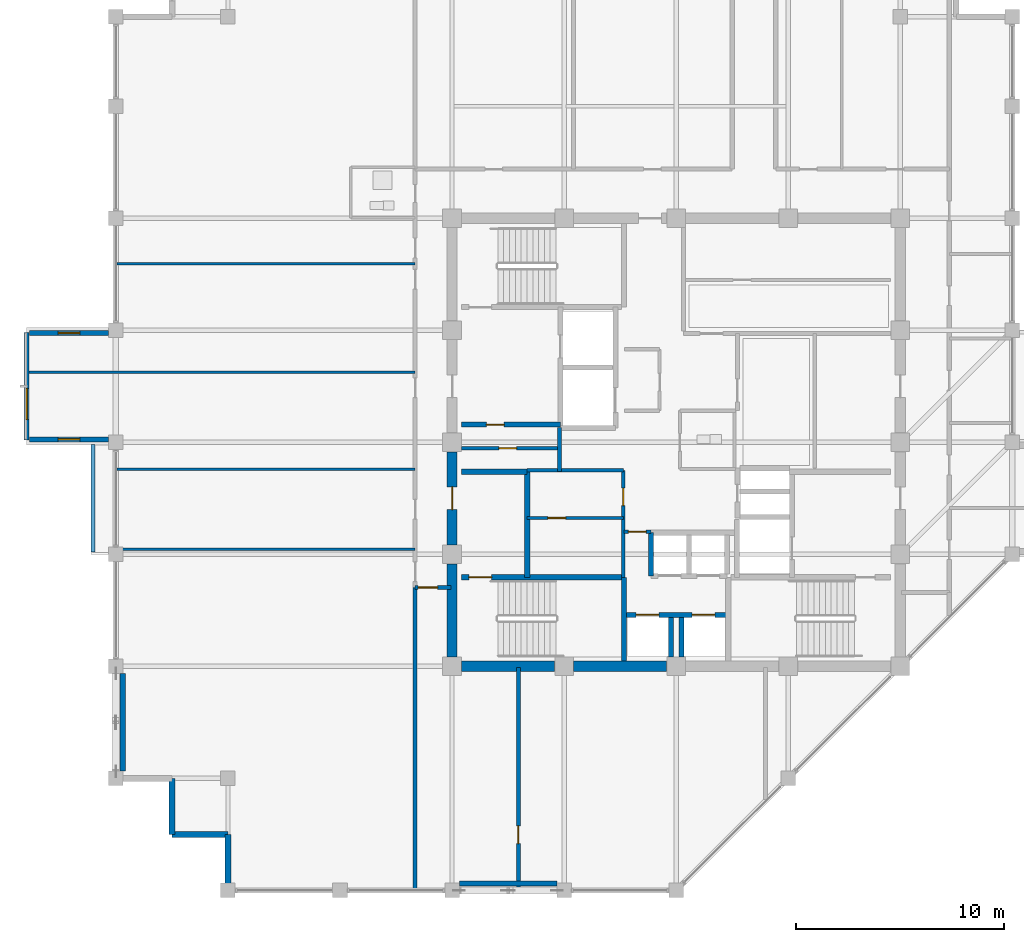
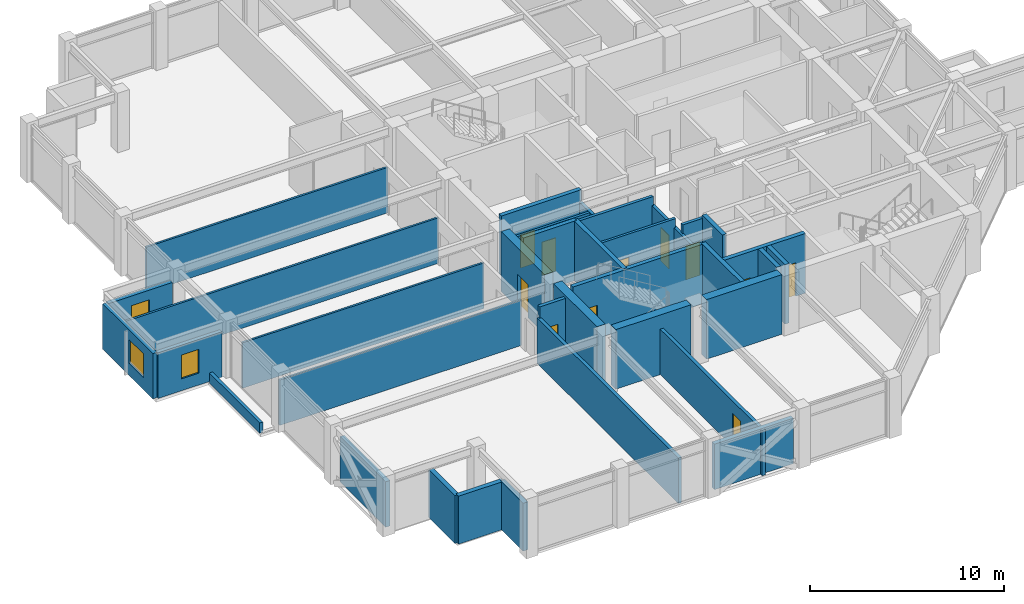
# One storey, part 25 of 31: 35 walls, 11 doors, 3 windows, 14 openings.
"""IFC4 building model written with IfcOpenShell, lengths in metres."""

from ifc_helpers import new_model, si_unit, direction, frame, frame_2d, origin, place, context, subcontext, project, spatial, rectangle, extrude, material, layer, layer_set, type_object, element, fill, save


model = new_model("IFC4")

# Units and contexts
model_context = context("Model", 3, precision=1e-05, world=origin(), true_north=direction((0.0, 1.0)))
body_context = subcontext(model_context, "Body", "Model", "MODEL_VIEW")
ifc_project = project(units=[si_unit("LENGTHUNIT", "METRE"), si_unit("AREAUNIT", "SQUARE_METRE"), si_unit("VOLUMEUNIT", "CUBIC_METRE"), si_unit("PLANEANGLEUNIT", "RADIAN"), si_unit("MASSUNIT", "GRAM", prefix="KILO")], contexts=[model_context])

# Site, building, storey
site_placement = place(None, origin())
site = spatial("IfcSite", under=ifc_project, at=site_placement, CompositionType="ELEMENT")
building_placement = place(site_placement, origin())
building = spatial("IfcBuilding", under=site, at=building_placement, Name="Surkhivell Harbour Commons", CompositionType="ELEMENT")
storey_placement = place(building_placement, frame((0.0, 0.0, 315.0)))
storey = spatial("IfcBuildingStorey", under=building, at=storey_placement, Name="L82", CompositionType="ELEMENT", Elevation=315.0)

# Walls
ifc_material_1 = material(Name="Concrete C50/60", Category="concrete")
ifc_layer_1 = layer(ifc_material_1, 0.5)
ifc_layer_set_1 = layer_set([ifc_layer_1], Name="Concrete C50/60")
wall_type_1 = type_object("IfcWallType", Name="WAL-CORE-500", PredefinedType="SHEAR", material=ifc_layer_set_1)
for number, where, z_axis, x_axis, name in (
    (1, (-10.340087890625, -10.800048828125, 0.0), (0.0, 0.0, 1.0), (1.0, 0.0, 0.0), "L82 Core Shear Wall South 1"),
    (2, (-10.800048828125, -10.340087890625, 0.0), (0.0, 0.0, 1.0), (0.0, 1.0, 0.0), "L82 Core Shear Wall West 1"),
    (3, (-4.93994140625, -10.800048828125, 0.0), (0.0, 0.0, 1.0), (1.0, 0.0, 0.0), "L82 Core Shear Wall South 2"),
):
    element("IfcWall", number, at=place(storey_placement, frame(where, z_axis=z_axis, x_axis=x_axis)), inside=storey, type_object=wall_type_1, Name=name, PredefinedType="SHEAR", context=body_context, shape_type="SweptSolid", body=[
        extrude(rectangle(XDim=4.47998046875, YDim=0.5, at=frame_2d((2.239990234375, 0.0))), origin(), (0.0, 0.0, 1.0), 3.75),
    ])

# Wall, opening, door
wall_1_placement = place(storey_placement, frame((-10.800048828125, -4.93994140625, 0.0), z_axis=(0.0, 0.0, 1.0), x_axis=(0.0, 1.0, 0.0)))
wall_1 = element("IfcWall", 4, at=wall_1_placement, inside=storey, type_object=wall_type_1, Name="L82 Core Shear Wall West 2", PredefinedType="SHEAR", context=body_context, shape_type="SweptSolid", body=[
    extrude(rectangle(XDim=4.47998046875, YDim=0.5, at=frame_2d((2.239990234375, 0.0))), origin(), (0.0, 0.0, 1.0), 3.75),
])
opening_1_placement = place(wall_1_placement, frame((1.68994140625, 0.0, 0.0)))
opening_1 = element("IfcOpeningElement", 5, at=opening_1_placement, cuts=wall_1, Name="Opening ID-2", PredefinedType="OPENING", context=body_context, shape_type="SweptSolid", body=[
    extrude(rectangle(XDim=1.10009765625, YDim=2.10009765625, at=frame_2d((0.550048828125, 1.050048828125))), frame((0.0, 0.260009765625, 0.0), z_axis=(0.0, -1.0, 0.0), x_axis=(1.0, 0.0, 0.0)), (0.0, 0.0, 1.0), 0.52001953125),
])
ifc_material_2 = material(Name="Hardwood-veneered fire-rated door leaf", Category="wood")
door_type_1 = type_object("IfcDoorType", Name="DOR-FD60-1100", OperationType="NOTDEFINED", PredefinedType="DOOR", material=ifc_material_2)
door_1_placement = place(opening_1_placement, origin())
door_1 = element("IfcDoor", 6, at=door_1_placement, inside=storey, type_object=door_type_1, Name="L82 Stair 3 Lobby Corridor Door", OperationType="SINGLE_SWING_LEFT", OverallHeight=2.10009765625, OverallWidth=1.10009765625, PredefinedType="DOOR", context=body_context, shape_type="SweptSolid", body=[
    extrude(rectangle(XDim=1.10009765625, YDim=2.10009765625, at=frame_2d((0.550048828125, 1.050048828125))), frame((0.0, 0.02490234375, 0.0), z_axis=(0.0, -1.0, 0.0), x_axis=(1.0, 0.0, 0.0)), (0.0, 0.0, 1.0), 0.050048828125),
])
fill(opening_1, door_1)

# Walls
ifc_material_3 = material(Name="Pale-metal insulated precast concrete C45/55", Category="concrete")
ifc_layer_2 = layer(ifc_material_3, 0.260009765625)
ifc_layer_set_2 = layer_set([ifc_layer_2], Name="Pale-metal insulated precast concrete C45/55")
wall_type_2 = type_object("IfcWallType", Name="WAL-EXT-MTL260", PredefinedType="STANDARD", material=ifc_layer_set_2)
wall_2_placement = place(storey_placement, frame((-10.451904296875, -21.264892578125, 0.0), z_axis=(0.0, 0.0, 1.0), x_axis=(1.0, 0.0, 0.0)))
element("IfcWall", 7, at=wall_2_placement, inside=storey, type_object=wall_type_2, Name="L82 Braced-Bay Insulated Spandrel Backing S", PredefinedType="STANDARD", context=body_context, shape_type="SweptSolid", body=[
    extrude(rectangle(XDim=4.703857421875, YDim=0.260009765625, at=frame_2d((2.35205078125, 0.0))), origin(), (0.0, 0.0, 1.0), 2.85693359375),
])
wall_3_placement = place(storey_placement, frame((-26.6650390625, -15.85205078125, 0.0), z_axis=(0.0, 0.0, 1.0), x_axis=(0.0, 1.0, 0.0)))
element("IfcWall", 8, at=wall_3_placement, inside=storey, type_object=wall_type_2, Name="L82 Braced-Bay Insulated Spandrel Backing W", PredefinedType="STANDARD", context=body_context, shape_type="SweptSolid", body=[
    extrude(rectangle(XDim=4.7041015625, YDim=0.260009765625, at=frame_2d((2.35205078125, 0.0))), origin(), (0.0, 0.0, 1.0), 2.85693359375),
])

# Wall, opening, window
ifc_material_4 = material(Name="Bronze-ochre cassette precast concrete C45/55", Category="concrete")
ifc_layer_3 = layer(ifc_material_4, 0.239990234375)
ifc_layer_set_3 = layer_set([ifc_layer_3], Name="Bronze-ochre cassette precast concrete C45/55")
wall_type_3 = type_object("IfcWallType", Name="WAL-EXT-OCH240", PredefinedType="STANDARD", material=ifc_layer_set_3)
wall_4_placement = place(storey_placement, frame((-31.300048828125, 5.280029296875, 0.0), z_axis=(0.0, 0.0, 1.0), x_axis=(0.0, -1.0, 0.0)))
wall_4 = element("IfcWall", 9, at=wall_4_placement, inside=storey, type_object=wall_type_3, Name="L82 Coloured Box Front Wall 02", PredefinedType="STANDARD", context=body_context, shape_type="SweptSolid", body=[
    extrude(rectangle(XDim=5.159912109375, YDim=0.239990234375, at=frame_2d((2.580078125, 0.0))), origin(), (0.0, 0.0, 1.0), 2.85693359375),
])
opening_2_placement = place(wall_4_placement, frame((2.68994140625, 0.0, 0.75)))
opening_2 = element("IfcOpeningElement", 10, at=opening_2_placement, cuts=wall_4, Name="Opening WN-13", PredefinedType="OPENING", context=body_context, shape_type="SweptSolid", body=[
    extrude(rectangle(XDim=1.5, YDim=1.5, at=frame_2d((0.75, 0.75))), frame((0.0, 0.1298828125, 0.0), z_axis=(0.0, -1.0, 0.0), x_axis=(1.0, 0.0, 0.0)), (0.0, 0.0, 1.0), 0.260009765625),
])
ifc_material_5 = material(Name="Thermal-break aluminium frame and double low-E glazing", Category="aluminium")
window_type_1 = type_object("IfcWindowType", Name="WIN-BOX-1500x1500", PartitioningType="SINGLE_PANEL", PredefinedType="WINDOW", material=ifc_material_5)
window_1_placement = place(opening_2_placement, origin())
window_1 = element("IfcWindow", 11, at=window_1_placement, inside=storey, type_object=window_type_1, Name="L82 Coloured Box Square Window 02-1", OverallHeight=1.5, OverallWidth=1.5, PartitioningType="SINGLE_PANEL", PredefinedType="WINDOW", context=body_context, shape_type="SweptSolid", body=[
    extrude(rectangle(XDim=1.5, YDim=1.5, at=frame_2d((0.75, 0.75))), frame((0.0, 0.030029296875, 0.0), z_axis=(0.0, -1.0, 0.0), x_axis=(1.0, 0.0, 0.0)), (0.0, 0.0, 1.0), 0.06005859375),
])
fill(opening_2, window_1)

wall_5_placement = place(storey_placement, frame((-31.159912109375, 0.139892578125, 0.0), z_axis=(0.0, 0.0, 1.0), x_axis=(1.0, 0.0, 0.0)))
wall_5 = element("IfcWall", 12, at=wall_5_placement, inside=storey, type_object=wall_type_3, Name="L82 Coloured Box Return Wall 02S", PredefinedType="STANDARD", context=body_context, shape_type="SweptSolid", body=[
    extrude(rectangle(XDim=3.805908203125, YDim=0.239990234375, at=frame_2d((1.90283203125, 0.0))), origin(), (0.0, 0.0, 1.0), 2.85693359375),
])
opening_3_placement = place(wall_5_placement, frame((1.3779296875, 0.0, 0.75)))
opening_3 = element("IfcOpeningElement", 13, at=opening_3_placement, cuts=wall_5, Name="Opening WN-11", PredefinedType="OPENING", context=body_context, shape_type="SweptSolid", body=[
    extrude(rectangle(XDim=1.050048828125, YDim=1.5, at=frame_2d((0.52490234375, 0.75))), frame((0.0, 0.1298828125, 0.0), z_axis=(0.0, -1.0, 0.0), x_axis=(1.0, 0.0, 0.0)), (0.0, 0.0, 1.0), 0.260009765625),
])
window_type_2 = type_object("IfcWindowType", Name="WIN-SER-1050x1500", PartitioningType="SINGLE_PANEL", PredefinedType="WINDOW", material=ifc_material_5)
window_2_placement = place(opening_3_placement, origin())
window_2 = element("IfcWindow", 14, at=window_2_placement, inside=storey, type_object=window_type_2, Name="L82 Coloured Box Return Window 02S", OverallHeight=1.5, OverallWidth=1.050048828125, PartitioningType="SINGLE_PANEL", PredefinedType="WINDOW", context=body_context, shape_type="SweptSolid", body=[
    extrude(rectangle(XDim=1.050048828125, YDim=1.5, at=frame_2d((0.52490234375, 0.75))), frame((0.0, 0.030029296875, 0.0), z_axis=(0.0, -1.0, 0.0), x_axis=(1.0, 0.0, 0.0)), (0.0, 0.0, 1.0), 0.06005859375),
])
fill(opening_3, window_2)

wall_6_placement = place(storey_placement, frame((-31.159912109375, 5.260009765625, 0.0), z_axis=(0.0, 0.0, 1.0), x_axis=(1.0, 0.0, 0.0)))
wall_6 = element("IfcWall", 15, at=wall_6_placement, inside=storey, type_object=wall_type_3, Name="L82 Coloured Box Return Wall 02N", PredefinedType="STANDARD", context=body_context, shape_type="SweptSolid", body=[
    extrude(rectangle(XDim=3.805908203125, YDim=0.239990234375, at=frame_2d((1.90283203125, 0.0))), origin(), (0.0, 0.0, 1.0), 2.85693359375),
])
opening_4_placement = place(wall_6_placement, frame((1.3779296875, 0.0, 0.75)))
opening_4 = element("IfcOpeningElement", 16, at=opening_4_placement, cuts=wall_6, Name="Opening WN-11", PredefinedType="OPENING", context=body_context, shape_type="SweptSolid", body=[
    extrude(rectangle(XDim=1.050048828125, YDim=1.5, at=frame_2d((0.52490234375, 0.75))), frame((0.0, 0.1298828125, 0.0), z_axis=(0.0, -1.0, 0.0), x_axis=(1.0, 0.0, 0.0)), (0.0, 0.0, 1.0), 0.260009765625),
])
window_3_placement = place(opening_4_placement, origin())
window_3 = element("IfcWindow", 17, at=window_3_placement, inside=storey, type_object=window_type_2, Name="L82 Coloured Box Return Window 02N", OverallHeight=1.5, OverallWidth=1.050048828125, PartitioningType="SINGLE_PANEL", PredefinedType="WINDOW", context=body_context, shape_type="SweptSolid", body=[
    extrude(rectangle(XDim=1.050048828125, YDim=1.5, at=frame_2d((0.52490234375, 0.75))), frame((0.0, 0.030029296875, 0.0), z_axis=(0.0, -1.0, 0.0), x_axis=(1.0, 0.0, 0.0)), (0.0, 0.0, 1.0), 0.06005859375),
])
fill(opening_4, window_3)

# Walls
ifc_material_6 = material(Name="Terracotta-clad reinforced concrete C45/55", Category="masonry")
ifc_layer_4 = layer(ifc_material_6, 0.280029296875)
ifc_layer_set_4 = layer_set([ifc_layer_4], Name="Terracotta-clad reinforced concrete C45/55")
wall_type_4 = type_object("IfcWallType", Name="WAL-EXT-TER280", PredefinedType="STANDARD", material=ifc_layer_set_4)
for number, where, z_axis, x_axis, name in (
    (18, (-24.300048828125, -16.199951171875, 0.0), (0.0, 0.0, 1.0), (0.0, -1.0, 0.0), "L82 Serrated Corner Facade Wall 14"),
    (19, (-24.300048828125, -18.89990234375, 0.0), (0.0, 0.0, 1.0), (1.0, 0.0, 0.0), "L82 Serrated Corner Facade Wall 15"),
):
    element("IfcWall", number, at=place(storey_placement, frame(where, z_axis=z_axis, x_axis=x_axis)), inside=storey, type_object=wall_type_4, Name=name, PredefinedType="STANDARD", context=body_context, shape_type="SweptSolid", body=[
        extrude(rectangle(XDim=2.699951171875, YDim=0.280029296875, at=frame_2d((1.35009765625, 0.0))), origin(), (0.0, 0.0, 1.0), 3.012939453125),
    ])
wall_7_placement = place(storey_placement, frame((-21.60009765625, -18.89990234375, 0.0), z_axis=(0.0, 0.0, 1.0), x_axis=(0.0, -1.0, 0.0)))
element("IfcWall", 20, at=wall_7_placement, inside=storey, type_object=wall_type_4, Name="L82 Serrated Corner Facade Wall 16", PredefinedType="STANDARD", context=body_context, shape_type="SweptSolid", body=[
    extrude(rectangle(XDim=2.35205078125, YDim=0.280029296875, at=frame_2d((1.176025390625, 0.0))), origin(), (0.0, 0.0, 1.0), 3.012939453125),
])
ifc_material_7 = material(Name="Moisture-resistant acoustic stud partition", Category="other")
ifc_layer_5 = layer(ifc_material_7, 0.125)
ifc_layer_set_5 = layer_set([ifc_layer_5], Name="Moisture-resistant acoustic stud partition")
wall_type_5 = type_object("IfcWallType", Name="WAL-INT-125", PredefinedType="PARTITIONING", material=ifc_layer_set_5)
wall_8_placement = place(storey_placement, frame((-26.93994140625, -1.300048828125, 0.0), z_axis=(0.0, 0.0, 1.0), x_axis=(1.0, 0.0, 0.0)))
element("IfcWall", 21, at=wall_8_placement, inside=storey, type_object=wall_type_5, Name="L82 West Partition BDP1", PredefinedType="PARTITIONING", context=body_context, shape_type="SweptSolid", body=[
    extrude(rectangle(XDim=14.35986328125, YDim=0.125, at=frame_2d((7.179931640625, 0.0))), origin(), (0.0, 0.0, 1.0), 2.85693359375),
])
wall_9_placement = place(storey_placement, frame((-31.239990234375, 3.3798828125, 0.0), z_axis=(0.0, 0.0, 1.0), x_axis=(1.0, 0.0, 0.0)))
element("IfcWall", 22, at=wall_9_placement, inside=storey, type_object=wall_type_5, Name="L82 West Partition BDP2", PredefinedType="PARTITIONING", context=body_context, shape_type="SweptSolid", body=[
    extrude(rectangle(XDim=18.659912109375, YDim=0.125, at=frame_2d((9.330078125, 0.0))), origin(), (0.0, 0.0, 1.0), 2.85693359375),
])
for number, where, z_axis, x_axis, name in (
    (23, (-26.93994140625, -5.14990234375, 0.0), (0.0, 0.0, 1.0), (1.0, 0.0, 0.0), "L82 West Partition PBOT"),
    (24, (-26.93994140625, 8.610107421875, 0.0), (0.0, 0.0, 1.0), (1.0, 0.0, 0.0), "L82 West Partition PTOP"),
):
    element("IfcWall", number, at=place(storey_placement, frame(where, z_axis=z_axis, x_axis=x_axis)), inside=storey, type_object=wall_type_5, Name=name, PredefinedType="PARTITIONING", context=body_context, shape_type="SweptSolid", body=[
        extrude(rectangle(XDim=14.35986328125, YDim=0.125, at=frame_2d((7.179931640625, 0.0))), origin(), (0.0, 0.0, 1.0), 2.85693359375),
    ])

# Wall, opening, door
ifc_material_8 = material(Name="Twin-stud acoustic fireboard partition", Category="other")
ifc_layer_6 = layer(ifc_material_8, 0.14990234375)
ifc_layer_set_6 = layer_set([ifc_layer_6], Name="Twin-stud acoustic fireboard partition")
wall_type_6 = type_object("IfcWallType", Name="WAL-INT-150", PredefinedType="PARTITIONING", material=ifc_layer_set_6)
wall_10_placement = place(storey_placement, frame((-7.179931640625, -3.64990234375, 0.0), z_axis=(0.0, 0.0, 1.0), x_axis=(1.0, 0.0, 0.0)))
wall_10 = element("IfcWall", 25, at=wall_10_placement, inside=storey, type_object=wall_type_6, Name="L82 Core Cut C1 Partition", PredefinedType="PARTITIONING", context=body_context, shape_type="SweptSolid", body=[
    extrude(rectangle(XDim=4.6298828125, YDim=0.14990234375, at=frame_2d((2.31494140625, 0.0))), origin(), (0.0, 0.0, 1.0), 3.570068359375),
])
opening_5_placement = place(wall_10_placement, frame((1.0, 0.0, 0.0)))
opening_5 = element("IfcOpeningElement", 26, at=opening_5_placement, cuts=wall_10, Name="Opening ID-6", PredefinedType="OPENING", context=body_context, shape_type="SweptSolid", body=[
    extrude(rectangle(XDim=0.85009765625, YDim=2.10009765625, at=frame_2d((0.425048828125, 1.050048828125))), frame((0.0, 0.0849609375, 0.0), z_axis=(0.0, -1.0, 0.0), x_axis=(1.0, 0.0, 0.0)), (0.0, 0.0, 1.0), 0.169921875),
])
door_type_2 = type_object("IfcDoorType", Name="DOR-FD30-850", OperationType="NOTDEFINED", PredefinedType="DOOR", material=ifc_material_2)
door_2_placement = place(opening_5_placement, origin())
door_2 = element("IfcDoor", 27, at=door_2_placement, inside=storey, type_object=door_type_2, Name="L82 Cleaner Room Door", OperationType="SINGLE_SWING_LEFT", OverallHeight=2.10009765625, OverallWidth=0.85009765625, PredefinedType="DOOR", context=body_context, shape_type="SweptSolid", body=[
    extrude(rectangle(XDim=0.85009765625, YDim=2.10009765625, at=frame_2d((0.425048828125, 1.050048828125))), frame((0.0, 0.02490234375, 0.0), z_axis=(0.0, -1.0, 0.0), x_axis=(1.0, 0.0, 0.0)), (0.0, 0.0, 1.0), 0.050048828125),
])
fill(opening_5, door_2)

wall_11_placement = place(storey_placement, frame((-10.340087890625, -0.2900390625, 0.0), z_axis=(0.0, 0.0, 1.0), x_axis=(1.0, 0.0, 0.0)))
wall_11 = element("IfcWall", 28, at=wall_11_placement, inside=storey, type_object=wall_type_6, Name="L82 West Core Horizontal Cut", PredefinedType="PARTITIONING", context=body_context, shape_type="SweptSolid", body=[
    extrude(rectangle(XDim=4.719970703125, YDim=0.14990234375, at=frame_2d((2.35986328125, 0.0))), origin(), (0.0, 0.0, 1.0), 3.012939453125),
])
opening_6_placement = place(wall_11_placement, frame((1.800048828125, 0.0, 0.0)))
opening_6 = element("IfcOpeningElement", 29, at=opening_6_placement, cuts=wall_11, Name="Opening ID-6", PredefinedType="OPENING", context=body_context, shape_type="SweptSolid", body=[
    extrude(rectangle(XDim=0.85009765625, YDim=2.10009765625, at=frame_2d((0.425048828125, 1.050048828125))), frame((0.0, 0.0849609375, 0.0), z_axis=(0.0, -1.0, 0.0), x_axis=(1.0, 0.0, 0.0)), (0.0, 0.0, 1.0), 0.169921875),
])
door_3_placement = place(opening_6_placement, origin())
door_3 = element("IfcDoor", 30, at=door_3_placement, inside=storey, type_object=door_type_2, Name="L82 West Music Pod Door", OperationType="SINGLE_SWING_RIGHT", OverallHeight=2.10009765625, OverallWidth=0.85009765625, PredefinedType="DOOR", context=body_context, shape_type="SweptSolid", body=[
    extrude(rectangle(XDim=0.85009765625, YDim=2.10009765625, at=frame_2d((0.425048828125, 1.050048828125))), frame((0.0, 0.02490234375, 0.0), z_axis=(0.0, -1.0, 0.0), x_axis=(1.0, 0.0, 0.0)), (0.0, 0.0, 1.0), 0.050048828125),
])
fill(opening_6, door_3)

ifc_material_9 = material(Name="High-density acoustic blockwork fire partition", Category="masonry")
ifc_layer_7 = layer(ifc_material_9, 0.175048828125)
ifc_layer_set_7 = layer_set([ifc_layer_7], Name="High-density acoustic blockwork fire partition")
wall_type_7 = type_object("IfcWallType", Name="WAL-INT-175", PredefinedType="PARTITIONING", material=ifc_layer_set_7)
wall_12_placement = place(storey_placement, frame((-2.550048828125, -6.510009765625, 0.0), z_axis=(0.0, 0.0, 1.0), x_axis=(0.0, 1.0, 0.0)))
wall_12 = element("IfcWall", 31, at=wall_12_placement, inside=storey, type_object=wall_type_7, Name="L82 Core Service Bay East Wall", PredefinedType="PARTITIONING", context=body_context, shape_type="SweptSolid", body=[
    extrude(rectangle(XDim=5.159912109375, YDim=0.175048828125, at=frame_2d((2.580078125, 0.0))), origin(), (0.0, 0.0, 1.0), 3.012939453125),
])
opening_7_placement = place(wall_12_placement, frame((3.449951171875, 0.0, 0.0)))
opening_7 = element("IfcOpeningElement", 32, at=opening_7_placement, cuts=wall_12, Name="Opening ID-6", PredefinedType="OPENING", context=body_context, shape_type="SweptSolid", body=[
    extrude(rectangle(XDim=0.85009765625, YDim=2.10009765625, at=frame_2d((0.425048828125, 1.050048828125))), frame((0.0, 0.097412109375, 0.0), z_axis=(0.0, -1.0, 0.0), x_axis=(1.0, 0.0, 0.0)), (0.0, 0.0, 1.0), 0.195068359375),
])
door_4_placement = place(opening_7_placement, origin())
door_4 = element("IfcDoor", 33, at=door_4_placement, inside=storey, type_object=door_type_2, Name="L82 Core Seminar Door", OperationType="SINGLE_SWING_LEFT", OverallHeight=2.10009765625, OverallWidth=0.85009765625, PredefinedType="DOOR", context=body_context, shape_type="SweptSolid", body=[
    extrude(rectangle(XDim=0.85009765625, YDim=2.10009765625, at=frame_2d((0.425048828125, 1.050048828125))), frame((0.0, 0.02490234375, 0.0), z_axis=(0.0, -1.0, 0.0), x_axis=(1.0, 0.0, 0.0)), (0.0, 0.0, 1.0), 0.050048828125),
])
fill(opening_7, door_4)

# Walls
wall_13_placement = place(storey_placement, frame((-7.179931640625, -1.35009765625, 0.0), z_axis=(0.0, 0.0, 1.0), x_axis=(1.0, 0.0, 0.0)))
element("IfcWall", 34, at=wall_13_placement, inside=storey, type_object=wall_type_7, Name="L82 Core Service Bay North Wall", PredefinedType="PARTITIONING", context=body_context, shape_type="SweptSolid", body=[
    extrude(rectangle(XDim=4.6298828125, YDim=0.175048828125, at=frame_2d((2.31494140625, 0.0))), origin(), (0.0, 0.0, 1.0), 3.570068359375),
])
wall_14_placement = place(storey_placement, frame((-5.6201171875, -1.419921875, 0.0), z_axis=(0.0, 0.0, 1.0), x_axis=(0.0, 1.0, 0.0)))
element("IfcWall", 35, at=wall_14_placement, inside=storey, type_object=wall_type_7, Name="L82 West Core Bay East Wall", PredefinedType="PARTITIONING", context=body_context, shape_type="SweptSolid", body=[
    extrude(rectangle(XDim=2.139892578125, YDim=0.175048828125, at=frame_2d((1.06982421875, 0.0))), origin(), (0.0, 0.0, 1.0), 3.012939453125),
])

# Wall, opening, door
wall_15_placement = place(storey_placement, frame((-2.52001953125, -4.320068359375, 0.0), z_axis=(0.0, 0.0, 1.0), x_axis=(1.0, 0.0, 0.0)))
wall_15 = element("IfcWall", 36, at=wall_15_placement, inside=storey, type_object=wall_type_7, Name="L82 High-Rise Lobby North Portal Wall", PredefinedType="PARTITIONING", context=body_context, shape_type="SweptSolid", body=[
    extrude(rectangle(XDim=1.300048828125, YDim=0.175048828125, at=frame_2d((0.64990234375, 0.0))), origin(), (0.0, 0.0, 1.0), 3.570068359375),
])
opening_8_placement = place(wall_15_placement, frame((0.219970703125, 0.0, 0.0)))
opening_8 = element("IfcOpeningElement", 37, at=opening_8_placement, cuts=wall_15, Name="Opening ID-6", PredefinedType="OPENING", context=body_context, shape_type="SweptSolid", body=[
    extrude(rectangle(XDim=0.85009765625, YDim=2.10009765625, at=frame_2d((0.425048828125, 1.050048828125))), frame((0.0, 0.097412109375, 0.0), z_axis=(0.0, -1.0, 0.0), x_axis=(1.0, 0.0, 0.0)), (0.0, 0.0, 1.0), 0.195068359375),
])
door_5_placement = place(opening_8_placement, origin())
door_5 = element("IfcDoor", 38, at=door_5_placement, inside=storey, type_object=door_type_2, Name="L82 High-Rise Lift Lobby North Door", OperationType="SINGLE_SWING_LEFT", OverallHeight=2.10009765625, OverallWidth=0.85009765625, PredefinedType="DOOR", context=body_context, shape_type="SweptSolid", body=[
    extrude(rectangle(XDim=0.85009765625, YDim=2.10009765625, at=frame_2d((0.425048828125, 1.050048828125))), frame((0.0, 0.02490234375, 0.0), z_axis=(0.0, -1.0, 0.0), x_axis=(1.0, 0.0, 0.0)), (0.0, 0.0, 1.0), 0.050048828125),
])
fill(opening_8, door_5)

ifc_material_10 = material(Name="Autoclaved aerated concrete blockwork and fire plaster", Category="masonry")
ifc_layer_8 = layer(ifc_material_10, 0.199951171875)
ifc_layer_set_8 = layer_set([ifc_layer_8], Name="Autoclaved aerated concrete blockwork and fire plaster")
wall_type_8 = type_object("IfcWallType", Name="WAL-INT-200", PredefinedType="PARTITIONING", material=ifc_layer_set_8)
wall_16_placement = place(storey_placement, frame((-7.60009765625, -21.5400390625, 0.0), z_axis=(0.0, 0.0, 1.0), x_axis=(0.0, 1.0, 0.0)))
wall_16 = element("IfcWall", 39, at=wall_16_placement, inside=storey, type_object=wall_type_8, Name="L82 South Wing Mid Partition", PredefinedType="PARTITIONING", context=body_context, shape_type="SweptSolid", body=[
    extrude(rectangle(XDim=10.68994140625, YDim=0.199951171875, at=frame_2d((5.344970703125, 0.0))), origin(), (0.0, 0.0, 1.0), 2.85693359375),
])
opening_9_placement = place(wall_16_placement, frame((2.199951171875, 0.0, 0.0)))
opening_9 = element("IfcOpeningElement", 40, at=opening_9_placement, cuts=wall_16, Name="Opening ID-6", PredefinedType="OPENING", context=body_context, shape_type="SweptSolid", body=[
    extrude(rectangle(XDim=0.85009765625, YDim=2.10009765625, at=frame_2d((0.425048828125, 1.050048828125))), frame((0.0, 0.10986328125, 0.0), z_axis=(0.0, -1.0, 0.0), x_axis=(1.0, 0.0, 0.0)), (0.0, 0.0, 1.0), 0.219970703125),
])
door_6_placement = place(opening_9_placement, origin())
door_6 = element("IfcDoor", 41, at=door_6_placement, inside=storey, type_object=door_type_2, Name="L82 South Seminar Door", OperationType="SINGLE_SWING_RIGHT", OverallHeight=2.10009765625, OverallWidth=0.85009765625, PredefinedType="DOOR", context=body_context, shape_type="SweptSolid", body=[
    extrude(rectangle(XDim=0.85009765625, YDim=2.10009765625, at=frame_2d((0.425048828125, 1.050048828125))), frame((0.0, 0.02490234375, 0.0), z_axis=(0.0, -1.0, 0.0), x_axis=(1.0, 0.0, 0.0)), (0.0, 0.0, 1.0), 0.050048828125),
])
fill(opening_9, door_6)

# Wall
wall_17_placement = place(storey_placement, frame((-12.580078125, -21.5400390625, 0.0), z_axis=(0.0, 0.0, 1.0), x_axis=(0.0, 1.0, 0.0)))
element("IfcWall", 42, at=wall_17_placement, inside=storey, type_object=wall_type_8, Name="L82 South Hall West Divider", PredefinedType="PARTITIONING", context=body_context, shape_type="SweptSolid", body=[
    extrude(rectangle(XDim=14.5400390625, YDim=0.199951171875, at=frame_2d((7.27001953125, 0.0))), origin(), (0.0, 0.0, 1.0), 2.85693359375),
])

# Wall, opening, door
wall_18_placement = place(storey_placement, frame((-12.580078125, -7.0, 0.0), z_axis=(0.0, 0.0, 1.0), x_axis=(1.0, 0.0, 0.0)))
wall_18 = element("IfcWall", 43, at=wall_18_placement, inside=storey, type_object=wall_type_8, Name="L82 West Corridor South Portal Wall", PredefinedType="PARTITIONING", context=body_context, shape_type="SweptSolid", body=[
    extrude(rectangle(XDim=1.72998046875, YDim=0.199951171875, at=frame_2d((0.864990234375, 0.0))), origin(), (0.0, 0.0, 1.0), 3.570068359375),
])
opening_10_placement = place(wall_18_placement, frame((0.139892578125, 0.0, 0.0)))
opening_10 = element("IfcOpeningElement", 44, at=opening_10_placement, cuts=wall_18, Name="Opening ID-4", PredefinedType="OPENING", context=body_context, shape_type="SweptSolid", body=[
    extrude(rectangle(XDim=0.949951171875, YDim=2.10009765625, at=frame_2d((0.47509765625, 1.050048828125))), frame((0.0, 0.10986328125, 0.0), z_axis=(0.0, -1.0, 0.0), x_axis=(1.0, 0.0, 0.0)), (0.0, 0.0, 1.0), 0.219970703125),
])
door_type_3 = type_object("IfcDoorType", Name="DOR-FD60-950", OperationType="NOTDEFINED", PredefinedType="DOOR", material=ifc_material_2)
door_7_placement = place(opening_10_placement, origin())
door_7 = element("IfcDoor", 45, at=door_7_placement, inside=storey, type_object=door_type_3, Name="L82 South Lounge Door", OperationType="SINGLE_SWING_RIGHT", OverallHeight=2.10009765625, OverallWidth=0.949951171875, PredefinedType="DOOR", context=body_context, shape_type="SweptSolid", body=[
    extrude(rectangle(XDim=0.949951171875, YDim=2.10009765625, at=frame_2d((0.47509765625, 1.050048828125))), frame((0.0, 0.02490234375, 0.0), z_axis=(0.0, -1.0, 0.0), x_axis=(1.0, 0.0, 0.0)), (0.0, 0.0, 1.0), 0.050048828125),
])
fill(opening_10, door_7)

# Wall
ifc_material_11 = material(Name="Anodised aluminium and precast concrete C40/50", Category="concrete")
ifc_layer_9 = layer(ifc_material_11, 0.18505859375)
ifc_layer_set_9 = layer_set([ifc_layer_9], Name="Anodised aluminium and precast concrete C40/50")
wall_type_9 = type_object("IfcWallType", Name="WAL-PAR-185", PredefinedType="PARAPET", material=ifc_layer_set_9)
wall_19_placement = place(storey_placement, frame((-28.10009765625, -0.1201171875, 0.0), z_axis=(0.0, 0.0, 1.0), x_axis=(0.0, -1.0, 0.0)))
element("IfcWall", 46, at=wall_19_placement, inside=storey, type_object=wall_type_9, Name="L82 Box Roof Coping Parapet 2-1", PredefinedType="PARAPET", context=body_context, shape_type="SweptSolid", body=[
    extrude(rectangle(XDim=5.179931640625, YDim=0.18505859375, at=frame_2d((2.58984375, 0.0))), origin(), (0.0, 0.0, 1.0), 0.64990234375),
])

# Wall, opening, door
ifc_layer_10 = layer(ifc_material_1, 0.25)
ifc_layer_set_10 = layer_set([ifc_layer_10], Name="Concrete C50/60")
wall_type_10 = type_object("IfcWallType", Name="WAL-SHAFT-250", PredefinedType="SHEAR", material=ifc_layer_set_10)
wall_20_placement = place(storey_placement, frame((-10.340087890625, 0.85009765625, 0.0), z_axis=(0.0, 0.0, 1.0), x_axis=(1.0, 0.0, 0.0)))
wall_20 = element("IfcWall", 47, at=wall_20_placement, inside=storey, type_object=wall_type_10, Name="L82 Firefighting Lobby 1 South Wall", PredefinedType="SHEAR", context=body_context, shape_type="SweptSolid", body=[
    extrude(rectangle(XDim=4.760009765625, YDim=0.25, at=frame_2d((2.3798828125, 0.0))), origin(), (0.0, 0.0, 1.0), 3.75),
])
opening_11_placement = place(wall_20_placement, frame((1.199951171875, 0.0, 0.0)))
opening_11 = element("IfcOpeningElement", 48, at=opening_11_placement, cuts=wall_20, Name="Opening ID-6", PredefinedType="OPENING", context=body_context, shape_type="SweptSolid", body=[
    extrude(rectangle(XDim=0.85009765625, YDim=2.10009765625, at=frame_2d((0.425048828125, 1.050048828125))), frame((0.0, 0.135009765625, 0.0), z_axis=(0.0, -1.0, 0.0), x_axis=(1.0, 0.0, 0.0)), (0.0, 0.0, 1.0), 0.27001953125),
])
door_8_placement = place(opening_11_placement, origin())
door_8 = element("IfcDoor", 49, at=door_8_placement, inside=storey, type_object=door_type_2, Name="L82 West Reading Alcove Door", OperationType="SINGLE_SWING_LEFT", OverallHeight=2.10009765625, OverallWidth=0.85009765625, PredefinedType="DOOR", context=body_context, shape_type="SweptSolid", body=[
    extrude(rectangle(XDim=0.85009765625, YDim=2.10009765625, at=frame_2d((0.425048828125, 1.050048828125))), frame((0.0, 0.02490234375, 0.0), z_axis=(0.0, -1.0, 0.0), x_axis=(1.0, 0.0, 0.0)), (0.0, 0.0, 1.0), 0.050048828125),
])
fill(opening_11, door_8)

# Walls
for number, where, z_axis, x_axis, name in (
    (50, (-0.25, -10.35009765625, 0.0), (0.0, 0.0, 1.0), (0.0, 1.0, 0.0), "L82 High-Rise Side Wall S"),
    (51, (0.25, -10.35009765625, 0.0), (0.0, 0.0, 1.0), (0.0, 1.0, 0.0), "L82 High-Rise Side Wall S"),
):
    element("IfcWall", number, at=place(storey_placement, frame(where, z_axis=z_axis, x_axis=x_axis)), inside=storey, type_object=wall_type_10, Name=name, PredefinedType="SHEAR", context=body_context, shape_type="SweptSolid", body=[
        extrude(rectangle(XDim=1.91015625, YDim=0.25, at=frame_2d((0.955078125, 0.0))), origin(), (0.0, 0.0, 1.0), 3.75),
    ])
wall_21_placement = place(storey_placement, frame((-1.219970703125, -6.43994140625, 0.0), z_axis=(0.0, 0.0, 1.0), x_axis=(0.0, 1.0, 0.0)))
element("IfcWall", 52, at=wall_21_placement, inside=storey, type_object=wall_type_10, Name="L82 High-Rise Passage East Shaft Wall", PredefinedType="SHEAR", context=body_context, shape_type="SweptSolid", body=[
    extrude(rectangle(XDim=2.079833984375, YDim=0.25, at=frame_2d((1.0400390625, 0.0))), origin(), (0.0, 0.0, 1.0), 3.75),
])

# Wall, openings, doors
wall_22_placement = place(storey_placement, frame((-2.47998046875, -8.320068359375, 0.0), z_axis=(0.0, 0.0, 1.0), x_axis=(1.0, 0.0, 0.0)))
wall_22 = element("IfcWall", 53, at=wall_22_placement, inside=storey, type_object=wall_type_10, Name="L82 High-Rise South Front Shaft Wall", PredefinedType="SHEAR", context=body_context, shape_type="SweptSolid", body=[
    extrude(rectangle(XDim=4.929931640625, YDim=0.25, at=frame_2d((2.46484375, 0.0))), origin(), (0.0, 0.0, 1.0), 3.75),
])
opening_12_placement = place(wall_22_placement, frame((0.550048828125, 0.0, 0.0)))
opening_12 = element("IfcOpeningElement", 54, at=opening_12_placement, cuts=wall_22, Name="Opening LD-1", PredefinedType="OPENING", context=body_context, shape_type="SweptSolid", body=[
    extrude(rectangle(XDim=1.10009765625, YDim=2.10009765625, at=frame_2d((0.550048828125, 1.050048828125))), frame((0.0, 0.135009765625, 0.0), z_axis=(0.0, -1.0, 0.0), x_axis=(1.0, 0.0, 0.0)), (0.0, 0.0, 1.0), 0.27001953125),
])
opening_13_placement = place(wall_22_placement, frame((3.25, 0.0, 0.0)))
opening_13 = element("IfcOpeningElement", 55, at=opening_13_placement, cuts=wall_22, Name="Opening LD-1", PredefinedType="OPENING", context=body_context, shape_type="SweptSolid", body=[
    extrude(rectangle(XDim=1.10009765625, YDim=2.10009765625, at=frame_2d((0.550048828125, 1.050048828125))), frame((0.0, 0.135009765625, 0.0), z_axis=(0.0, -1.0, 0.0), x_axis=(1.0, 0.0, 0.0)), (0.0, 0.0, 1.0), 0.27001953125),
])
ifc_material_12 = material(Name="Brushed stainless steel S355", Category="steel")
door_type_4 = type_object("IfcDoorType", Name="DOR-LD-1100", OperationType="SLIDING_TO_LEFT", PredefinedType="DOOR", material=ifc_material_12)
door_9_placement = place(opening_12_placement, origin())
door_9 = element("IfcDoor", 56, at=door_9_placement, inside=storey, type_object=door_type_4, Name="L82 Lift Landing Door LD-PH3", OperationType="SLIDING_TO_LEFT", OverallHeight=2.10009765625, OverallWidth=1.10009765625, PredefinedType="DOOR", context=body_context, shape_type="SweptSolid", body=[
    extrude(rectangle(XDim=1.10009765625, YDim=2.10009765625, at=frame_2d((0.550048828125, 1.050048828125))), frame((0.0, 0.02490234375, 0.0), z_axis=(0.0, -1.0, 0.0), x_axis=(1.0, 0.0, 0.0)), (0.0, 0.0, 1.0), 0.050048828125),
])
fill(opening_12, door_9)
door_10_placement = place(opening_13_placement, origin())
door_10 = element("IfcDoor", 57, at=door_10_placement, inside=storey, type_object=door_type_4, Name="L82 Lift Landing Door LD-PH4", OperationType="SLIDING_TO_LEFT", OverallHeight=2.10009765625, OverallWidth=1.10009765625, PredefinedType="DOOR", context=body_context, shape_type="SweptSolid", body=[
    extrude(rectangle(XDim=1.10009765625, YDim=2.10009765625, at=frame_2d((0.550048828125, 1.050048828125))), frame((0.0, 0.02490234375, 0.0), z_axis=(0.0, -1.0, 0.0), x_axis=(1.0, 0.0, 0.0)), (0.0, 0.0, 1.0), 0.050048828125),
])
fill(opening_13, door_10)

# Walls
wall_23_placement = place(storey_placement, frame((-2.510009765625, -10.550048828125, 0.0), z_axis=(0.0, 0.0, 1.0), x_axis=(0.0, 1.0, 0.0)))
element("IfcWall", 58, at=wall_23_placement, inside=storey, type_object=wall_type_10, Name="L82 Stair ST3 East Shear Wall", PredefinedType="SHEAR", context=body_context, shape_type="SweptSolid", body=[
    extrude(rectangle(XDim=4.0400390625, YDim=0.25, at=frame_2d((2.02001953125, 0.0))), origin(), (0.0, 0.0, 1.0), 3.75),
])
wall_24_placement = place(storey_placement, frame((-7.179931640625, -6.510009765625, 0.0), z_axis=(0.0, 0.0, 1.0), x_axis=(0.0, 1.0, 0.0)))
element("IfcWall", 59, at=wall_24_placement, inside=storey, type_object=wall_type_10, Name="L82 Stair 3 Lobby East Wall", PredefinedType="SHEAR", context=body_context, shape_type="SweptSolid", body=[
    extrude(rectangle(XDim=5.090087890625, YDim=0.25, at=frame_2d((2.544921875, 0.0))), origin(), (0.0, 0.0, 1.0), 3.75),
])
wall_25_placement = place(storey_placement, frame((-10.340087890625, -1.419921875, 0.0), z_axis=(0.0, 0.0, 1.0), x_axis=(1.0, 0.0, 0.0)))
element("IfcWall", 60, at=wall_25_placement, inside=storey, type_object=wall_type_10, Name="L82 Stair 3 Lobby North Wall", PredefinedType="SHEAR", context=body_context, shape_type="SweptSolid", body=[
    extrude(rectangle(XDim=3.16015625, YDim=0.25, at=frame_2d((1.580078125, 0.0))), origin(), (0.0, 0.0, 1.0), 3.75),
])

# Wall, opening, door
wall_26_placement = place(storey_placement, frame((-10.340087890625, -6.510009765625, 0.0), z_axis=(0.0, 0.0, 1.0), x_axis=(1.0, 0.0, 0.0)))
wall_26 = element("IfcWall", 61, at=wall_26_placement, inside=storey, type_object=wall_type_10, Name="L82 Stair ST3 North Shear Wall", PredefinedType="SHEAR", context=body_context, shape_type="SweptSolid", body=[
    extrude(rectangle(XDim=7.7001953125, YDim=0.25, at=frame_2d((3.85009765625, 0.0))), origin(), (0.0, 0.0, 1.0), 3.75),
])
opening_14_placement = place(wall_26_placement, frame((0.35009765625, 0.0, 0.0)))
opening_14 = element("IfcOpeningElement", 62, at=opening_14_placement, cuts=wall_26, Name="Opening ID-2", PredefinedType="OPENING", context=body_context, shape_type="SweptSolid", body=[
    extrude(rectangle(XDim=1.10009765625, YDim=2.10009765625, at=frame_2d((0.550048828125, 1.050048828125))), frame((0.0, 0.135009765625, 0.0), z_axis=(0.0, -1.0, 0.0), x_axis=(1.0, 0.0, 0.0)), (0.0, 0.0, 1.0), 0.27001953125),
])
door_11_placement = place(opening_14_placement, origin())
door_11 = element("IfcDoor", 63, at=door_11_placement, inside=storey, type_object=door_type_1, Name="L82 Stair ST3 Exit Door", OperationType="SINGLE_SWING_RIGHT", OverallHeight=2.10009765625, OverallWidth=1.10009765625, PredefinedType="DOOR", context=body_context, shape_type="SweptSolid", body=[
    extrude(rectangle(XDim=1.10009765625, YDim=2.10009765625, at=frame_2d((0.550048828125, 1.050048828125))), frame((0.0, 0.02490234375, 0.0), z_axis=(0.0, -1.0, 0.0), x_axis=(1.0, 0.0, 0.0)), (0.0, 0.0, 1.0), 0.050048828125),
])
fill(opening_14, door_11)

save(model, "model.ifc")
